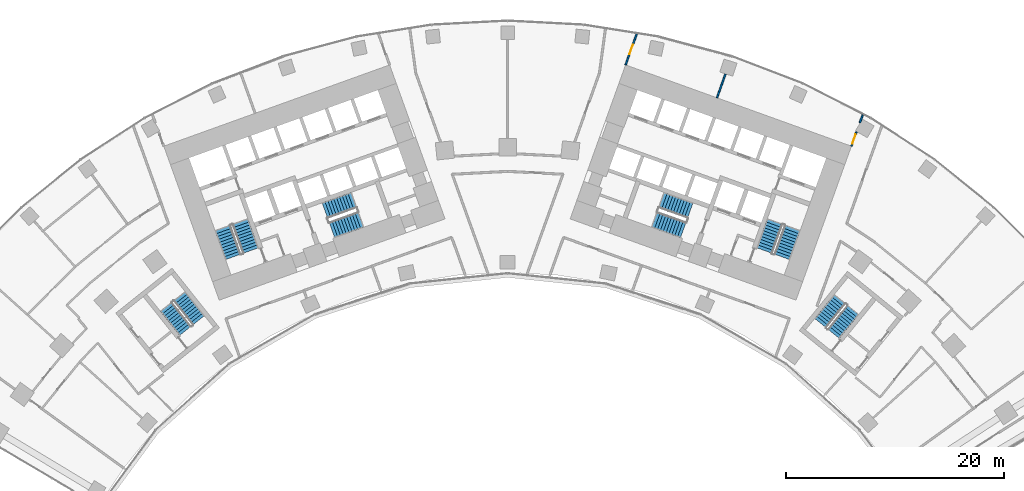
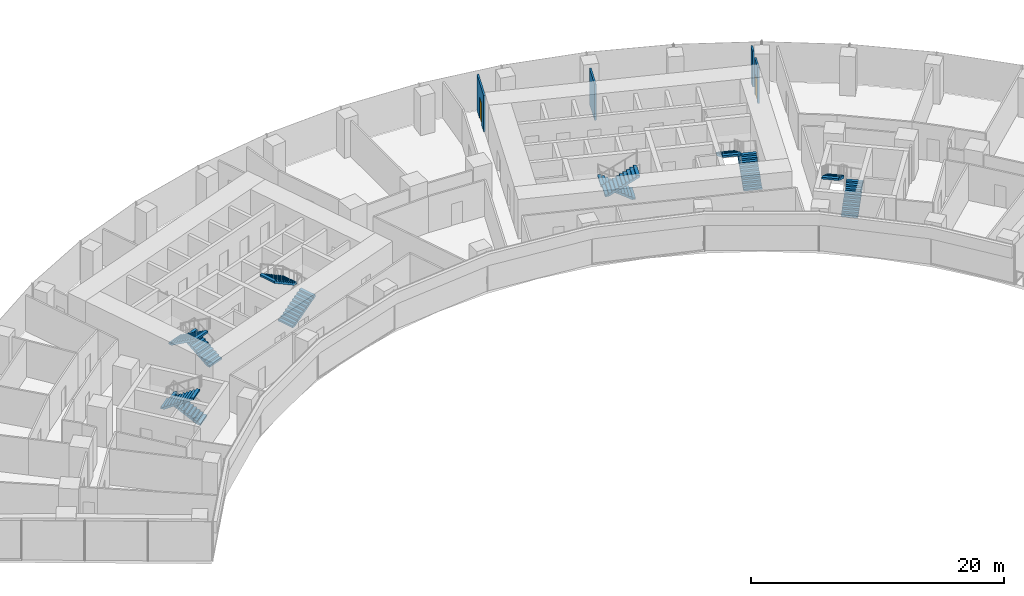
# One storey, part 19 of 21: 12 stair flights, 4 walls, 2 doors, 2 openings, 6 elements without a shape of their own.
"""IFC4 building model written with IfcOpenShell, lengths in metres."""

from ifc_helpers import new_model, si_unit, direction, frame, frame_2d, origin, place, context, subcontext, project, spatial, polyline, rectangle, outline, extrude, material, layer, layer_set, type_object, element, fill, aggregate, save


model = new_model("IFC4")

# Units and contexts
model_context = context("Model", 3, precision=1e-05, world=origin(), true_north=direction((0.0, 1.0)))
body_context = subcontext(model_context, "Body", "Model", "MODEL_VIEW")
ifc_project = project(units=[si_unit("LENGTHUNIT", "METRE"), si_unit("AREAUNIT", "SQUARE_METRE"), si_unit("VOLUMEUNIT", "CUBIC_METRE"), si_unit("PLANEANGLEUNIT", "RADIAN"), si_unit("MASSUNIT", "GRAM", prefix="KILO")], contexts=[model_context])

# Site, building, storey
site_placement = place(None, origin())
site = spatial("IfcSite", under=ifc_project, at=site_placement, CompositionType="ELEMENT")
building_placement = place(site_placement, origin())
building = spatial("IfcBuilding", under=site, at=building_placement, Name="Stone Belt Terrace Tower", CompositionType="ELEMENT")
storey_placement = place(building_placement, frame((0.0, 0.0, 45.199951171875)))
storey = spatial("IfcBuildingStorey", under=building, at=storey_placement, Name="L10", CompositionType="ELEMENT", Elevation=45.199951171875)

# Wall, opening, door
ifc_material_1 = material(Name="Gypsum board partition")
ifc_layer = layer(ifc_material_1, 0.14990234375)
ifc_layer_set = layer_set([ifc_layer], Name="PARTITION 150 EI 60")
wall_type = type_object("IfcWallType", Name="PARTITION 150 EI 60", PredefinedType="PARTITIONING", material=ifc_layer_set)
wall_1_placement = place(storey_placement, frame((11.831787109375, 65.360107421875, 0.0), z_axis=(0.0, 0.0, 1.0), x_axis=(-0.338630302468, -0.940919506786, 0.0)))
wall_1 = element("IfcWall", 1, at=wall_1_placement, inside=storey, type_object=wall_type, Name="L10/wall/i018", PredefinedType="PARTITIONING", context=body_context, shape_type="SweptSolid", body=[
    extrude(rectangle(XDim=3.005615234375, YDim=0.14990234375, at=frame_2d((1.5029296875, 0.0))), origin(), (0.0, 0.0, 1.0), 3.47998046875),
])
opening_1_placement = place(wall_1_placement, frame((1.052734375, 0.0, 0.0)))
opening_1 = element("IfcOpeningElement", 2, at=opening_1_placement, cuts=wall_1, Name="Opening D-A3-09", PredefinedType="OPENING", context=body_context, shape_type="SweptSolid", body=[
    extrude(rectangle(XDim=0.89990234375, YDim=2.10009765625, at=frame_2d((0.449951171875, 1.050048828125))), frame((0.0, 0.0849609375, 0.0), z_axis=(0.0, -1.0, 0.0), x_axis=(1.0, 0.0, 0.0)), (0.0, 0.0, 1.0), 0.169921875),
])
ifc_material_2 = material(Name="Timber door leaf", Category="wood")
door_type = type_object("IfcDoorType", Name="OFFICE DOOR 900 X 2100", OperationType="NOTDEFINED", PredefinedType="DOOR", material=ifc_material_2)
door_1_placement = place(opening_1_placement, origin())
door_1 = element("IfcDoor", 3, at=door_1_placement, inside=storey, type_object=door_type, Name="L10/door/i09", OperationType="SINGLE_SWING_RIGHT", OverallHeight=2.10009765625, OverallWidth=0.89990234375, PredefinedType="DOOR", context=body_context, shape_type="SweptSolid", body=[
    extrude(rectangle(XDim=0.89990234375, YDim=2.10009765625, at=frame_2d((0.449951171875, 1.050048828125))), frame((0.0, 0.02490234375, 0.0), z_axis=(0.0, -1.0, 0.0), x_axis=(1.0, 0.0, 0.0)), (0.0, 0.0, 1.0), 0.050048828125),
])
fill(opening_1, door_1)

wall_2_placement = place(storey_placement, frame((31.513916015625, 55.0830078125, 0.0), z_axis=(0.0, 0.0, 1.0), x_axis=(0.338861945182, 0.940836107995, 0.0)))
wall_2 = element("IfcWall", 4, at=wall_2_placement, inside=storey, type_object=wall_type, Name="L10/wall/i023", PredefinedType="PARTITIONING", context=body_context, shape_type="SweptSolid", body=[
    extrude(rectangle(XDim=1.3955078125, YDim=0.14990234375, at=frame_2d((0.69775390625, 0.0))), origin(), (0.0, 0.0, 1.0), 3.47998046875),
])
opening_2_placement = place(wall_2_placement, frame((0.247802734375, 0.0, 0.0)))
opening_2 = element("IfcOpeningElement", 5, at=opening_2_placement, cuts=wall_2, Name="Opening D-A3-10", PredefinedType="OPENING", context=body_context, shape_type="SweptSolid", body=[
    extrude(rectangle(XDim=0.89990234375, YDim=2.10009765625, at=frame_2d((0.449951171875, 1.050048828125))), frame((0.0, 0.0849609375, 0.0), z_axis=(0.0, -1.0, 0.0), x_axis=(1.0, 0.0, 0.0)), (0.0, 0.0, 1.0), 0.169921875),
])
door_2_placement = place(opening_2_placement, origin())
door_2 = element("IfcDoor", 6, at=door_2_placement, inside=storey, type_object=door_type, Name="L10/door/i10", OperationType="SINGLE_SWING_RIGHT", OverallHeight=2.10009765625, OverallWidth=0.89990234375, PredefinedType="DOOR", context=body_context, shape_type="SweptSolid", body=[
    extrude(rectangle(XDim=0.89990234375, YDim=2.10009765625, at=frame_2d((0.449951171875, 1.050048828125))), frame((0.0, 0.02490234375, 0.0), z_axis=(0.0, -1.0, 0.0), x_axis=(1.0, 0.0, 0.0)), (0.0, 0.0, 1.0), 0.050048828125),
])
fill(opening_2, door_2)

# Walls
wall_3_placement = place(storey_placement, frame((32.290283203125, 57.238525390625, 0.0), z_axis=(0.0, 0.0, 1.0), x_axis=(0.338960201827, 0.940800712998, 0.0)))
element("IfcWall", 7, at=wall_3_placement, inside=storey, type_object=wall_type, Name="L10/wall/i024", PredefinedType="PARTITIONING", context=body_context, shape_type="SweptSolid", body=[
    extrude(rectangle(XDim=0.754150390625, YDim=0.14990234375, at=frame_2d((0.376953125, 0.0))), origin(), (0.0, 0.0, 1.0), 3.47998046875),
])
wall_4_placement = place(storey_placement, frame((19.968994140625, 61.68212890625, 0.0), z_axis=(0.0, 0.0, 1.0), x_axis=(-0.338715709517, -0.940888765012, 0.0)))
element("IfcWall", 8, at=wall_4_placement, inside=storey, type_object=wall_type, Name="L10/wall/i033", PredefinedType="PARTITIONING", context=body_context, shape_type="SweptSolid", body=[
    extrude(rectangle(XDim=2.300048828125, YDim=0.14990234375, at=frame_2d((1.14990234375, 0.0))), origin(), (0.0, 0.0, 1.0), 3.47998046875),
])

# Stair, stair flights
ifc_material_3 = material(Name="Concrete B40", Category="concrete")
stair_type = type_object("IfcStairType", Name="Exit stair 1500", PredefinedType="HALF_TURN_STAIR", material=ifc_material_3)
stair_1_placement = place(storey_placement, origin())
stair_1 = element("IfcStair", 9, at=stair_1_placement, inside=storey, type_object=stair_type, Name="L10 Exit stair 1 core A", PredefinedType="HALF_TURN_STAIR")
stair_flight_type = type_object("IfcStairFlightType", Name="Stair flight 1500", PredefinedType="STRAIGHT", material=ifc_material_3)
stair_flight_1_placement = place(storey_placement, frame((-23.55322265625, 45.51318359375, 0.0), z_axis=(0.0, 0.0, 1.0), x_axis=(-0.338624396177, 0.940921632398, 0.0)))
stair_flight_1 = element("IfcStairFlight", 10, at=stair_flight_1_placement, type_object=stair_flight_type, Name="ST1A flight 1", NumberOfRisers=11, NumberOfTreads=10, PredefinedType="STRAIGHT", RiserHeight=0.172727273, TreadLength=0.28, context=body_context, shape_type="SweptSolid", body=[
    extrude(outline(polyline([(0.0, 0.0), (0.0, 0.172607421875), (0.280029296875, 0.172607421875), (0.280029296875, 0.345458984375), (0.56005859375, 0.345458984375), (0.56005859375, 0.51806640625), (0.840087890625, 0.51806640625), (0.840087890625, 0.69091796875), (1.1201171875, 0.69091796875), (1.1201171875, 0.863525390625), (1.39990234375, 0.863525390625), (1.39990234375, 1.036376953125), (1.679931640625, 1.036376953125), (1.679931640625, 1.208984375), (1.9599609375, 1.208984375), (1.9599609375, 1.3818359375), (2.239990234375, 1.3818359375), (2.239990234375, 1.554443359375), (2.52001953125, 1.554443359375), (2.52001953125, 1.727294921875), (2.800048828125, 1.727294921875), (2.800048828125, 1.89990234375), (2.800048828125, 1.551025390625), (0.285400390625, 0.0), (0.0, 0.0)])), frame((0.0, 0.75, 0.0), z_axis=(0.0, -1.0, 0.0), x_axis=(1.0, 0.0, 0.0)), (0.0, 0.0, 1.0), 1.5),
])
stair_flight_2_placement = place(storey_placement, frame((-26.10107421875, 47.572021484375, 1.900146484375), z_axis=(0.0, 0.0, 1.0), x_axis=(0.338624396177, -0.940921632398, 0.0)))
stair_flight_2 = element("IfcStairFlight", 11, at=stair_flight_2_placement, type_object=stair_flight_type, Name="ST1A flight 2", NumberOfRisers=11, NumberOfTreads=10, PredefinedType="STRAIGHT", RiserHeight=0.172727273, TreadLength=0.28, context=body_context, shape_type="SweptSolid", body=[
    extrude(outline(polyline([(0.0, 0.0), (0.0, 0.172607421875), (0.280029296875, 0.172607421875), (0.280029296875, 0.345458984375), (0.56005859375, 0.345458984375), (0.56005859375, 0.51806640625), (0.840087890625, 0.51806640625), (0.840087890625, 0.69091796875), (1.1201171875, 0.69091796875), (1.1201171875, 0.863525390625), (1.39990234375, 0.863525390625), (1.39990234375, 1.036376953125), (1.679931640625, 1.036376953125), (1.679931640625, 1.208984375), (1.9599609375, 1.208984375), (1.9599609375, 1.3818359375), (2.239990234375, 1.3818359375), (2.239990234375, 1.554443359375), (2.52001953125, 1.554443359375), (2.52001953125, 1.727294921875), (2.800048828125, 1.727294921875), (2.800048828125, 1.89990234375), (2.800048828125, 1.551025390625), (0.285400390625, 0.0), (0.0, 0.0)])), frame((0.0, 0.75, 0.0), z_axis=(0.0, -1.0, 0.0), x_axis=(1.0, 0.0, 0.0)), (0.0, 0.0, 1.0), 1.5),
])
aggregate(stair_1, [stair_flight_1, stair_flight_2])

stair_2_placement = place(storey_placement, origin())
stair_2 = element("IfcStair", 12, at=stair_2_placement, inside=storey, type_object=stair_type, Name="L10 Exit stair 2 core A", PredefinedType="HALF_TURN_STAIR")
stair_flight_3_placement = place(storey_placement, frame((-16.101318359375, 47.39794921875, 0.0), z_axis=(0.0, 0.0, 1.0), x_axis=(0.940921632398, 0.338624396177, 0.0)))
stair_flight_3 = element("IfcStairFlight", 13, at=stair_flight_3_placement, type_object=stair_flight_type, Name="ST2A flight 1", NumberOfRisers=11, NumberOfTreads=10, PredefinedType="STRAIGHT", RiserHeight=0.172727273, TreadLength=0.28, context=body_context, shape_type="SweptSolid", body=[
    extrude(outline(polyline([(0.0, 0.0), (0.0, 0.172607421875), (0.280029296875, 0.172607421875), (0.280029296875, 0.345458984375), (0.56005859375, 0.345458984375), (0.56005859375, 0.51806640625), (0.840087890625, 0.51806640625), (0.840087890625, 0.69091796875), (1.1201171875, 0.69091796875), (1.1201171875, 0.863525390625), (1.39990234375, 0.863525390625), (1.39990234375, 1.036376953125), (1.679931640625, 1.036376953125), (1.679931640625, 1.208984375), (1.9599609375, 1.208984375), (1.9599609375, 1.3818359375), (2.239990234375, 1.3818359375), (2.239990234375, 1.554443359375), (2.52001953125, 1.554443359375), (2.52001953125, 1.727294921875), (2.800048828125, 1.727294921875), (2.800048828125, 1.89990234375), (2.800048828125, 1.551025390625), (0.285400390625, 0.0), (0.0, 0.0)])), frame((0.0, 0.75, 0.0), z_axis=(0.0, -1.0, 0.0), x_axis=(1.0, 0.0, 0.0)), (0.0, 0.0, 1.0), 1.5),
])
stair_flight_4_placement = place(storey_placement, frame((-14.110107421875, 50.1337890625, 1.900146484375), z_axis=(0.0, 0.0, 1.0), x_axis=(-0.940921632398, -0.338624396177, 0.0)))
stair_flight_4 = element("IfcStairFlight", 14, at=stair_flight_4_placement, type_object=stair_flight_type, Name="ST2A flight 2", NumberOfRisers=11, NumberOfTreads=10, PredefinedType="STRAIGHT", RiserHeight=0.172727273, TreadLength=0.28, context=body_context, shape_type="SweptSolid", body=[
    extrude(outline(polyline([(0.0, 0.0), (0.0, 0.172607421875), (0.280029296875, 0.172607421875), (0.280029296875, 0.345458984375), (0.56005859375, 0.345458984375), (0.56005859375, 0.51806640625), (0.840087890625, 0.51806640625), (0.840087890625, 0.69091796875), (1.1201171875, 0.69091796875), (1.1201171875, 0.863525390625), (1.39990234375, 0.863525390625), (1.39990234375, 1.036376953125), (1.679931640625, 1.036376953125), (1.679931640625, 1.208984375), (1.9599609375, 1.208984375), (1.9599609375, 1.3818359375), (2.239990234375, 1.3818359375), (2.239990234375, 1.554443359375), (2.52001953125, 1.554443359375), (2.52001953125, 1.727294921875), (2.800048828125, 1.727294921875), (2.800048828125, 1.89990234375), (2.800048828125, 1.551025390625), (0.285400390625, 0.0), (0.0, 0.0)])), frame((0.0, 0.75, 0.0), z_axis=(0.0, -1.0, 0.0), x_axis=(1.0, 0.0, 0.0)), (0.0, 0.0, 1.0), 1.5),
])
aggregate(stair_2, [stair_flight_3, stair_flight_4])

stair_3_placement = place(storey_placement, origin())
stair_3 = element("IfcStair", 15, at=stair_3_placement, inside=storey, type_object=stair_type, Name="L10 Exit stair 1 core B", PredefinedType="HALF_TURN_STAIR")
stair_flight_5_placement = place(storey_placement, frame((25.15283203125, 44.9375, 0.0), z_axis=(0.0, 0.0, 1.0), x_axis=(0.338624396177, 0.940921632398, 0.0)))
stair_flight_5 = element("IfcStairFlight", 16, at=stair_flight_5_placement, type_object=stair_flight_type, Name="ST1B flight 1", NumberOfRisers=11, NumberOfTreads=10, PredefinedType="STRAIGHT", RiserHeight=0.172727273, TreadLength=0.28, context=body_context, shape_type="SweptSolid", body=[
    extrude(outline(polyline([(0.0, 0.0), (0.0, 0.172607421875), (0.280029296875, 0.172607421875), (0.280029296875, 0.345458984375), (0.56005859375, 0.345458984375), (0.56005859375, 0.51806640625), (0.840087890625, 0.51806640625), (0.840087890625, 0.69091796875), (1.1201171875, 0.69091796875), (1.1201171875, 0.863525390625), (1.39990234375, 0.863525390625), (1.39990234375, 1.036376953125), (1.679931640625, 1.036376953125), (1.679931640625, 1.208984375), (1.9599609375, 1.208984375), (1.9599609375, 1.3818359375), (2.239990234375, 1.3818359375), (2.239990234375, 1.554443359375), (2.52001953125, 1.554443359375), (2.52001953125, 1.727294921875), (2.800048828125, 1.727294921875), (2.800048828125, 1.89990234375), (2.800048828125, 1.551025390625), (0.285400390625, 0.0), (0.0, 0.0)])), frame((0.0, 0.75, 0.0), z_axis=(0.0, -1.0, 0.0), x_axis=(1.0, 0.0, 0.0)), (0.0, 0.0, 1.0), 1.5),
])
stair_flight_6_placement = place(storey_placement, frame((24.50146484375, 48.147705078125, 1.900146484375), z_axis=(0.0, 0.0, 1.0), x_axis=(-0.338624396177, -0.940921632398, 0.0)))
stair_flight_6 = element("IfcStairFlight", 17, at=stair_flight_6_placement, type_object=stair_flight_type, Name="ST1B flight 2", NumberOfRisers=11, NumberOfTreads=10, PredefinedType="STRAIGHT", RiserHeight=0.172727273, TreadLength=0.28, context=body_context, shape_type="SweptSolid", body=[
    extrude(outline(polyline([(0.0, 0.0), (0.0, 0.172607421875), (0.280029296875, 0.172607421875), (0.280029296875, 0.345458984375), (0.56005859375, 0.345458984375), (0.56005859375, 0.51806640625), (0.840087890625, 0.51806640625), (0.840087890625, 0.69091796875), (1.1201171875, 0.69091796875), (1.1201171875, 0.863525390625), (1.39990234375, 0.863525390625), (1.39990234375, 1.036376953125), (1.679931640625, 1.036376953125), (1.679931640625, 1.208984375), (1.9599609375, 1.208984375), (1.9599609375, 1.3818359375), (2.239990234375, 1.3818359375), (2.239990234375, 1.554443359375), (2.52001953125, 1.554443359375), (2.52001953125, 1.727294921875), (2.800048828125, 1.727294921875), (2.800048828125, 1.89990234375), (2.800048828125, 1.551025390625), (0.285400390625, 0.0), (0.0, 0.0)])), frame((0.0, 0.75, 0.0), z_axis=(0.0, -1.0, 0.0), x_axis=(1.0, 0.0, 0.0)), (0.0, 0.0, 1.0), 1.5),
])
aggregate(stair_3, [stair_flight_5, stair_flight_6])

stair_4_placement = place(storey_placement, origin())
stair_4 = element("IfcStair", 18, at=stair_4_placement, inside=storey, type_object=stair_type, Name="L10 Exit stair 2 core B", PredefinedType="HALF_TURN_STAIR")
stair_flight_7_placement = place(storey_placement, frame((16.74462890625, 49.185546875, 0.0), z_axis=(0.0, 0.0, 1.0), x_axis=(-0.940921632398, 0.338624396177, 0.0)))
stair_flight_7 = element("IfcStairFlight", 19, at=stair_flight_7_placement, type_object=stair_flight_type, Name="ST2B flight 1", NumberOfRisers=11, NumberOfTreads=10, PredefinedType="STRAIGHT", RiserHeight=0.172727273, TreadLength=0.28, context=body_context, shape_type="SweptSolid", body=[
    extrude(outline(polyline([(0.0, 0.0), (0.0, 0.172607421875), (0.280029296875, 0.172607421875), (0.280029296875, 0.345458984375), (0.56005859375, 0.345458984375), (0.56005859375, 0.51806640625), (0.840087890625, 0.51806640625), (0.840087890625, 0.69091796875), (1.1201171875, 0.69091796875), (1.1201171875, 0.863525390625), (1.39990234375, 0.863525390625), (1.39990234375, 1.036376953125), (1.679931640625, 1.036376953125), (1.679931640625, 1.208984375), (1.9599609375, 1.208984375), (1.9599609375, 1.3818359375), (2.239990234375, 1.3818359375), (2.239990234375, 1.554443359375), (2.52001953125, 1.554443359375), (2.52001953125, 1.727294921875), (2.800048828125, 1.727294921875), (2.800048828125, 1.89990234375), (2.800048828125, 1.551025390625), (0.285400390625, 0.0), (0.0, 0.0)])), frame((0.0, 0.75, 0.0), z_axis=(0.0, -1.0, 0.0), x_axis=(1.0, 0.0, 0.0)), (0.0, 0.0, 1.0), 1.5),
])
stair_flight_8_placement = place(storey_placement, frame((13.466796875, 48.345947265625, 1.900146484375), z_axis=(0.0, 0.0, 1.0), x_axis=(0.940921632398, -0.338624396177, 0.0)))
stair_flight_8 = element("IfcStairFlight", 20, at=stair_flight_8_placement, type_object=stair_flight_type, Name="ST2B flight 2", NumberOfRisers=11, NumberOfTreads=10, PredefinedType="STRAIGHT", RiserHeight=0.172727273, TreadLength=0.28, context=body_context, shape_type="SweptSolid", body=[
    extrude(outline(polyline([(0.0, 0.0), (0.0, 0.172607421875), (0.280029296875, 0.172607421875), (0.280029296875, 0.345458984375), (0.56005859375, 0.345458984375), (0.56005859375, 0.51806640625), (0.840087890625, 0.51806640625), (0.840087890625, 0.69091796875), (1.1201171875, 0.69091796875), (1.1201171875, 0.863525390625), (1.39990234375, 0.863525390625), (1.39990234375, 1.036376953125), (1.679931640625, 1.036376953125), (1.679931640625, 1.208984375), (1.9599609375, 1.208984375), (1.9599609375, 1.3818359375), (2.239990234375, 1.3818359375), (2.239990234375, 1.554443359375), (2.52001953125, 1.554443359375), (2.52001953125, 1.727294921875), (2.800048828125, 1.727294921875), (2.800048828125, 1.89990234375), (2.800048828125, 1.551025390625), (0.285400390625, 0.0), (0.0, 0.0)])), frame((0.0, 0.75, 0.0), z_axis=(0.0, -1.0, 0.0), x_axis=(1.0, 0.0, 0.0)), (0.0, 0.0, 1.0), 1.5),
])
aggregate(stair_4, [stair_flight_7, stair_flight_8])

stair_5_placement = place(storey_placement, origin())
stair_5 = element("IfcStair", 21, at=stair_5_placement, inside=storey, type_object=stair_type, Name="L10 Exit stair 3A", PredefinedType="HALF_TURN_STAIR")
stair_flight_9_placement = place(storey_placement, frame((-28.325439453125, 39.1240234375, 0.0), z_axis=(0.0, 0.0, 1.0), x_axis=(-0.623121363691, 0.782125160132, 0.0)))
stair_flight_9 = element("IfcStairFlight", 22, at=stair_flight_9_placement, type_object=stair_flight_type, Name="ST3A flight 1", NumberOfRisers=11, NumberOfTreads=10, PredefinedType="STRAIGHT", RiserHeight=0.172727273, TreadLength=0.28, context=body_context, shape_type="SweptSolid", body=[
    extrude(outline(polyline([(0.0, 0.0), (0.0, 0.172607421875), (0.280029296875, 0.172607421875), (0.280029296875, 0.345458984375), (0.56005859375, 0.345458984375), (0.56005859375, 0.51806640625), (0.840087890625, 0.51806640625), (0.840087890625, 0.69091796875), (1.1201171875, 0.69091796875), (1.1201171875, 0.863525390625), (1.39990234375, 0.863525390625), (1.39990234375, 1.036376953125), (1.679931640625, 1.036376953125), (1.679931640625, 1.208984375), (1.9599609375, 1.208984375), (1.9599609375, 1.3818359375), (2.239990234375, 1.3818359375), (2.239990234375, 1.554443359375), (2.52001953125, 1.554443359375), (2.52001953125, 1.727294921875), (2.800048828125, 1.727294921875), (2.800048828125, 1.89990234375), (2.800048828125, 1.551025390625), (0.285400390625, 0.0), (0.0, 0.0)])), frame((0.0, 0.675048828125, 0.0), z_axis=(0.0, -1.0, 0.0), x_axis=(1.0, 0.0, 0.0)), (0.0, 0.0, 1.0), 1.35009765625),
])
stair_flight_10_placement = place(storey_placement, frame((-31.282470703125, 40.34814453125, 1.900146484375), z_axis=(0.0, 0.0, 1.0), x_axis=(0.623121363691, -0.782125160132, 0.0)))
stair_flight_10 = element("IfcStairFlight", 23, at=stair_flight_10_placement, type_object=stair_flight_type, Name="ST3A flight 2", NumberOfRisers=11, NumberOfTreads=10, PredefinedType="STRAIGHT", RiserHeight=0.172727273, TreadLength=0.28, context=body_context, shape_type="SweptSolid", body=[
    extrude(outline(polyline([(0.0, 0.0), (0.0, 0.172607421875), (0.280029296875, 0.172607421875), (0.280029296875, 0.345458984375), (0.56005859375, 0.345458984375), (0.56005859375, 0.51806640625), (0.840087890625, 0.51806640625), (0.840087890625, 0.69091796875), (1.1201171875, 0.69091796875), (1.1201171875, 0.863525390625), (1.39990234375, 0.863525390625), (1.39990234375, 1.036376953125), (1.679931640625, 1.036376953125), (1.679931640625, 1.208984375), (1.9599609375, 1.208984375), (1.9599609375, 1.3818359375), (2.239990234375, 1.3818359375), (2.239990234375, 1.554443359375), (2.52001953125, 1.554443359375), (2.52001953125, 1.727294921875), (2.800048828125, 1.727294921875), (2.800048828125, 1.89990234375), (2.800048828125, 1.551025390625), (0.285400390625, 0.0), (0.0, 0.0)])), frame((0.0, 0.675048828125, 0.0), z_axis=(0.0, -1.0, 0.0), x_axis=(1.0, 0.0, 0.0)), (0.0, 0.0, 1.0), 1.35009765625),
])
aggregate(stair_5, [stair_flight_9, stair_flight_10])

stair_6_placement = place(storey_placement, origin())
stair_6 = element("IfcStair", 24, at=stair_6_placement, inside=storey, type_object=stair_type, Name="L10 Exit stair 3B", PredefinedType="HALF_TURN_STAIR")
stair_flight_11_placement = place(storey_placement, frame((29.88330078125, 37.887939453125, 0.0), z_axis=(0.0, 0.0, 1.0), x_axis=(0.630205749599, 0.776428176441, 0.0)))
stair_flight_11 = element("IfcStairFlight", 25, at=stair_flight_11_placement, type_object=stair_flight_type, Name="ST3B flight 1", NumberOfRisers=11, NumberOfTreads=10, PredefinedType="STRAIGHT", RiserHeight=0.172727273, TreadLength=0.28, context=body_context, shape_type="SweptSolid", body=[
    extrude(outline(polyline([(0.0, 0.0), (0.0, 0.172607421875), (0.280029296875, 0.172607421875), (0.280029296875, 0.345458984375), (0.56005859375, 0.345458984375), (0.56005859375, 0.51806640625), (0.840087890625, 0.51806640625), (0.840087890625, 0.69091796875), (1.1201171875, 0.69091796875), (1.1201171875, 0.863525390625), (1.39990234375, 0.863525390625), (1.39990234375, 1.036376953125), (1.679931640625, 1.036376953125), (1.679931640625, 1.208984375), (1.9599609375, 1.208984375), (1.9599609375, 1.3818359375), (2.239990234375, 1.3818359375), (2.239990234375, 1.554443359375), (2.52001953125, 1.554443359375), (2.52001953125, 1.727294921875), (2.800048828125, 1.727294921875), (2.800048828125, 1.89990234375), (2.800048828125, 1.551025390625), (0.285400390625, 0.0), (0.0, 0.0)])), frame((0.0, 0.675048828125, 0.0), z_axis=(0.0, -1.0, 0.0), x_axis=(1.0, 0.0, 0.0)), (0.0, 0.0, 1.0), 1.35009765625),
])
stair_flight_12_placement = place(storey_placement, frame((30.4443359375, 41.038818359375, 1.900146484375), z_axis=(0.0, 0.0, 1.0), x_axis=(-0.630205749599, -0.776428176441, 0.0)))
stair_flight_12 = element("IfcStairFlight", 26, at=stair_flight_12_placement, type_object=stair_flight_type, Name="ST3B flight 2", NumberOfRisers=11, NumberOfTreads=10, PredefinedType="STRAIGHT", RiserHeight=0.172727273, TreadLength=0.28, context=body_context, shape_type="SweptSolid", body=[
    extrude(outline(polyline([(0.0, 0.0), (0.0, 0.172607421875), (0.280029296875, 0.172607421875), (0.280029296875, 0.345458984375), (0.56005859375, 0.345458984375), (0.56005859375, 0.51806640625), (0.840087890625, 0.51806640625), (0.840087890625, 0.69091796875), (1.1201171875, 0.69091796875), (1.1201171875, 0.863525390625), (1.39990234375, 0.863525390625), (1.39990234375, 1.036376953125), (1.679931640625, 1.036376953125), (1.679931640625, 1.208984375), (1.9599609375, 1.208984375), (1.9599609375, 1.3818359375), (2.239990234375, 1.3818359375), (2.239990234375, 1.554443359375), (2.52001953125, 1.554443359375), (2.52001953125, 1.727294921875), (2.800048828125, 1.727294921875), (2.800048828125, 1.89990234375), (2.800048828125, 1.551025390625), (0.285400390625, 0.0), (0.0, 0.0)])), frame((0.0, 0.675048828125, 0.0), z_axis=(0.0, -1.0, 0.0), x_axis=(1.0, 0.0, 0.0)), (0.0, 0.0, 1.0), 1.35009765625),
])
aggregate(stair_6, [stair_flight_11, stair_flight_12])

save(model, "model.ifc")
